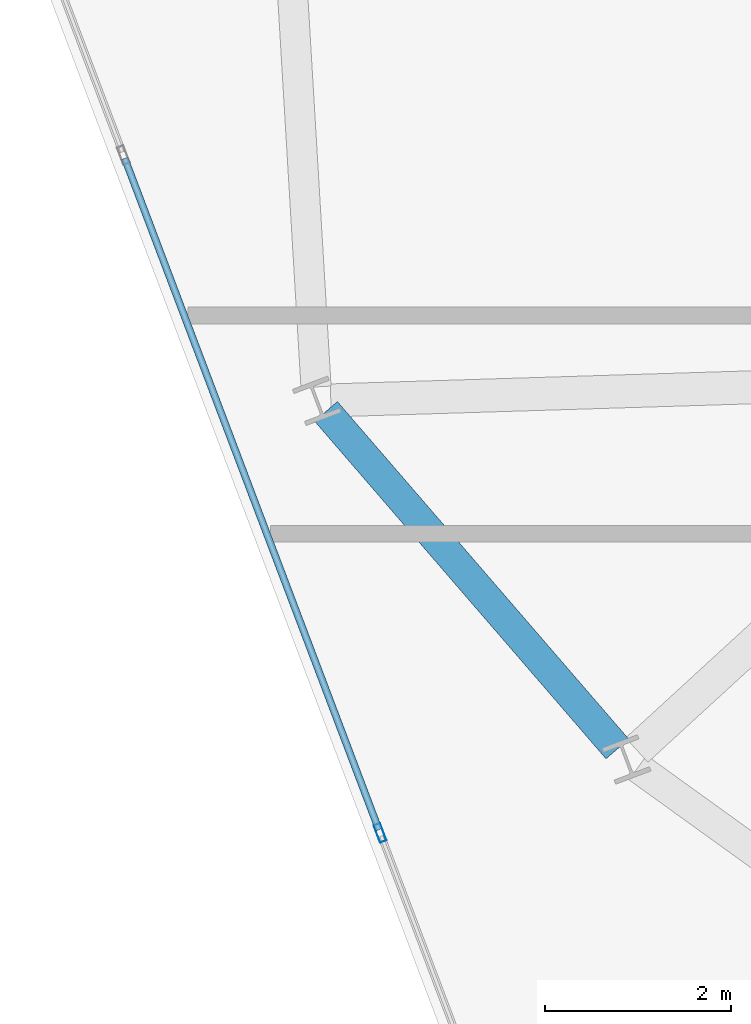
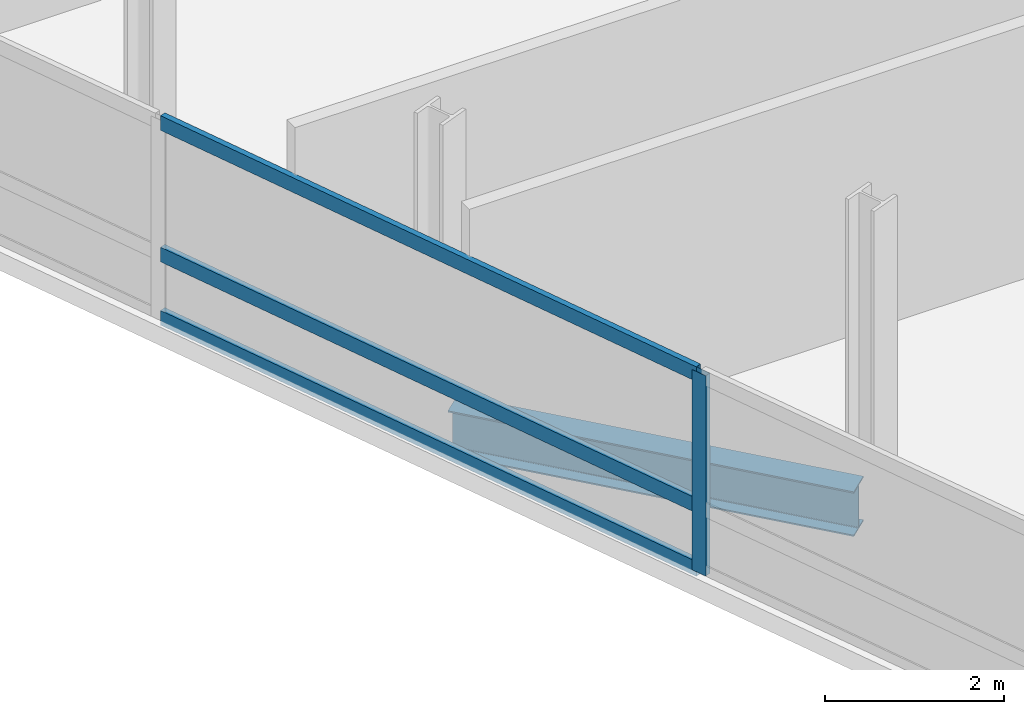
# One storey, part 5 of 20: 4 members, 1 beam, 1 element without a shape of its own.
"""IFC4 building model written with IfcOpenShell, lengths in metres."""

from ifc_helpers import new_model, si_unit, direction, frame, origin, origin_2d, place, context, subcontext, project, spatial, hollow_rectangle, i_section, extrude, material, layer, layer_set, material_profile, profile_set, type_object, element, aggregate, save


model = new_model("IFC4")

# Units and contexts
model_context = context("Model", 3, precision=1e-05, world=origin(), true_north=direction((0.0, 1.0)))
body_context = subcontext(model_context, "Body", "Model", "MODEL_VIEW")
ifc_project = project(units=[si_unit("LENGTHUNIT", "METRE"), si_unit("AREAUNIT", "SQUARE_METRE"), si_unit("VOLUMEUNIT", "CUBIC_METRE"), si_unit("PLANEANGLEUNIT", "RADIAN"), si_unit("MASSUNIT", "GRAM", prefix="KILO")], contexts=[model_context])

# Site, building, storey
site_placement = place(None, origin())
site = spatial("IfcSite", under=ifc_project, at=site_placement, CompositionType="ELEMENT")
building_placement = place(site_placement, origin())
building = spatial("IfcBuilding", under=site, at=building_placement, Name="Varnelok Gate Tower", CompositionType="ELEMENT")
storey_placement = place(building_placement, frame((0.0, 0.0, 220.10009765625)))
storey = spatial("IfcBuildingStorey", under=building, at=storey_placement, Name="L56", CompositionType="ELEMENT", Elevation=220.10009765625)

# Beam
ifc_material_1 = material(Name="Structural Steel ASTM A992 Grade 50", Category="steel")
ifc_material_profile_1 = material_profile(ifc_material_1, i_section(OverallWidth=0.323974609375, OverallDepth=0.611083984375, WebThickness=0.0126953125, FlangeThickness=0.01904296875, FilletRadius=0.01806640625, at=origin_2d()), Name="W24X104")
ifc_profile_set_1 = profile_set([ifc_material_profile_1], Name="Structural Steel ASTM A992 Grade 50")
beam_type = type_object("IfcBeamType", Name="BM-SPN-W24X104", PredefinedType="SPANDREL", material=ifc_profile_set_1)
beam_placement = place(storey_placement, frame((7.79248046875, 18.1669921875, -0.5556640625), z_axis=(0.653484787698, -0.756939649013, 0.0), x_axis=(0.756939649013, 0.653484787698, 0.0)))
element("IfcBeam", 1, at=beam_placement, inside=storey, type_object=beam_type, Name="L56 Perimeter Spandrel Beam 15", PredefinedType="SPANDREL", context=body_context, shape_type="SweptSolid", body=[
    extrude(i_section(OverallWidth=0.323974609375, OverallDepth=0.611083984375, WebThickness=0.0126953125, FlangeThickness=0.01904296875, FilletRadius=0.01806640625, at=origin_2d()), origin(), (0.0, 0.0, 1.0), 4.800048828125),
])

# Curtain wall, members
ifc_material_2 = material(Name="Anodized Aluminum Alloy 6063-T6", Category="aluminium")
ifc_layer = layer(ifc_material_2, 0.179931640625)
ifc_layer_set = layer_set([ifc_layer], Name="Anodized Aluminum Alloy 6063-T6")
curtain_wall_type = type_object("IfcCurtainWallType", Name="CW4-RESIDENCE-VISION", PredefinedType="USERDEFINED", material=ifc_layer_set)
curtain_wall_placement = place(storey_placement, origin())
curtain_wall = element("IfcCurtainWall", 2, at=curtain_wall_placement, inside=storey, type_object=curtain_wall_type, Name="L56 West End Vision Curtain Wall", ObjectType="UNITISED CURTAIN WALL", PredefinedType="USERDEFINED")
ifc_material_profile_2 = material_profile(ifc_material_2, hollow_rectangle(XDim=0.074951171875, YDim=0.199951171875, WallThickness=0.00390625, at=origin_2d()), Name="ALU200X75X4")
ifc_profile_set_2 = profile_set([ifc_material_profile_2], Name="Anodized Aluminum Alloy 6063-T6")
member_type_1 = type_object("IfcMemberType", Name="CW-MULL-200", PredefinedType="MULLION", material=ifc_profile_set_2)
member_1_placement = place(storey_placement, frame((8.375, 13.630126953125, 0.0), z_axis=(0.0, 0.0, 1.0), x_axis=(-0.935221557832, -0.354063042079, 0.0)))
member_1 = element("IfcMember", 3, at=member_1_placement, type_object=member_type_1, Name="CW4 mullion 3", PredefinedType="MULLION", context=body_context, shape_type="SweptSolid", body=[
    extrude(hollow_rectangle(XDim=0.074951171875, YDim=0.199951171875, WallThickness=0.00390625, at=origin_2d()), origin(), (0.0, 0.0, 1.0), 2.72998046875),
])
ifc_material_profile_3 = material_profile(ifc_material_2, hollow_rectangle(XDim=0.074951171875, YDim=0.199951171875, WallThickness=0.00390625, at=origin_2d()), Name="ALU200X75X4")
ifc_profile_set_3 = profile_set([ifc_material_profile_3], Name="Anodized Aluminum Alloy 6063-T6")
member_type_2 = type_object("IfcMemberType", Name="CW-TRAN-200", PredefinedType="USERDEFINED", material=ifc_profile_set_3)
member_2_placement = place(storey_placement, frame((8.36181640625, 13.665283203125, 0.037353515625), z_axis=(-0.354058714128, 0.935223196328, 0.0), x_axis=(-0.935223196328, -0.354058714128, 0.0)))
member_2 = element("IfcMember", 4, at=member_2_placement, type_object=member_type_2, Name="CW4 transom 3.1", ObjectType="TRANSOM", PredefinedType="USERDEFINED", context=body_context, shape_type="SweptSolid", body=[
    extrude(hollow_rectangle(XDim=0.074951171875, YDim=0.199951171875, WallThickness=0.00390625, at=origin_2d()), origin(), (0.0, 0.0, 1.0), 7.72509765625),
])
member_3_placement = place(storey_placement, frame((8.36181640625, 13.665283203125, 0.89990234375), z_axis=(-0.354058714128, 0.935223196328, 0.0), x_axis=(-0.935223196328, -0.354058714128, 0.0)))
member_3 = element("IfcMember", 5, at=member_3_placement, type_object=member_type_2, Name="CW4 transom 3.2", ObjectType="TRANSOM", PredefinedType="USERDEFINED", context=body_context, shape_type="SweptSolid", body=[
    extrude(hollow_rectangle(XDim=0.074951171875, YDim=0.199951171875, WallThickness=0.00390625, at=origin_2d()), origin(), (0.0, 0.0, 1.0), 7.72509765625),
])
member_4_placement = place(storey_placement, frame((8.36181640625, 13.665283203125, 2.6923828125), z_axis=(-0.354058714128, 0.935223196328, 0.0), x_axis=(-0.935223196328, -0.354058714128, 0.0)))
member_4 = element("IfcMember", 6, at=member_4_placement, type_object=member_type_2, Name="CW4 transom 3.3", ObjectType="TRANSOM", PredefinedType="USERDEFINED", context=body_context, shape_type="SweptSolid", body=[
    extrude(hollow_rectangle(XDim=0.074951171875, YDim=0.199951171875, WallThickness=0.00390625, at=origin_2d()), origin(), (0.0, 0.0, 1.0), 7.72509765625),
])
aggregate(curtain_wall, [member_1, member_2, member_3, member_4])

save(model, "model.ifc")
